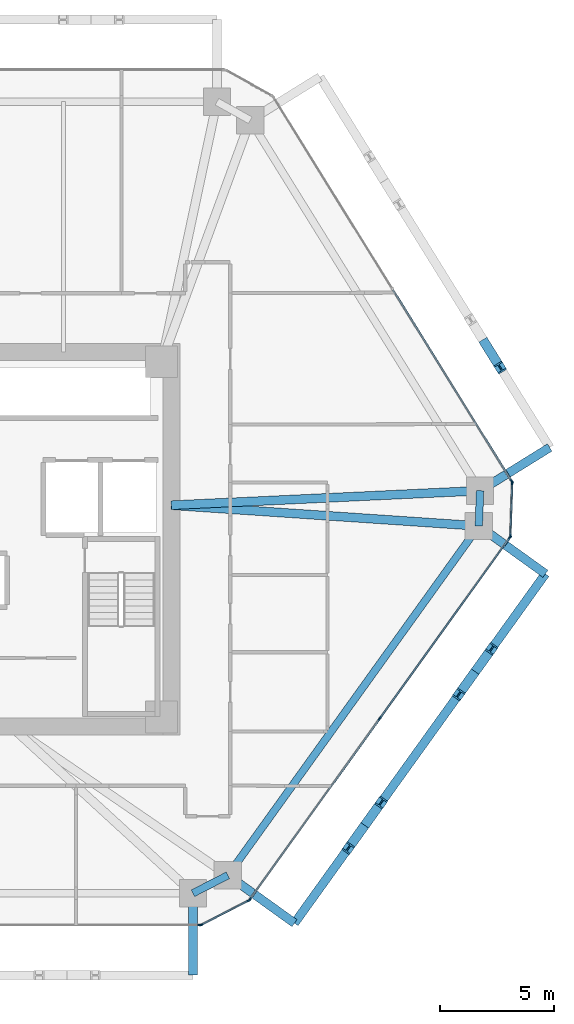
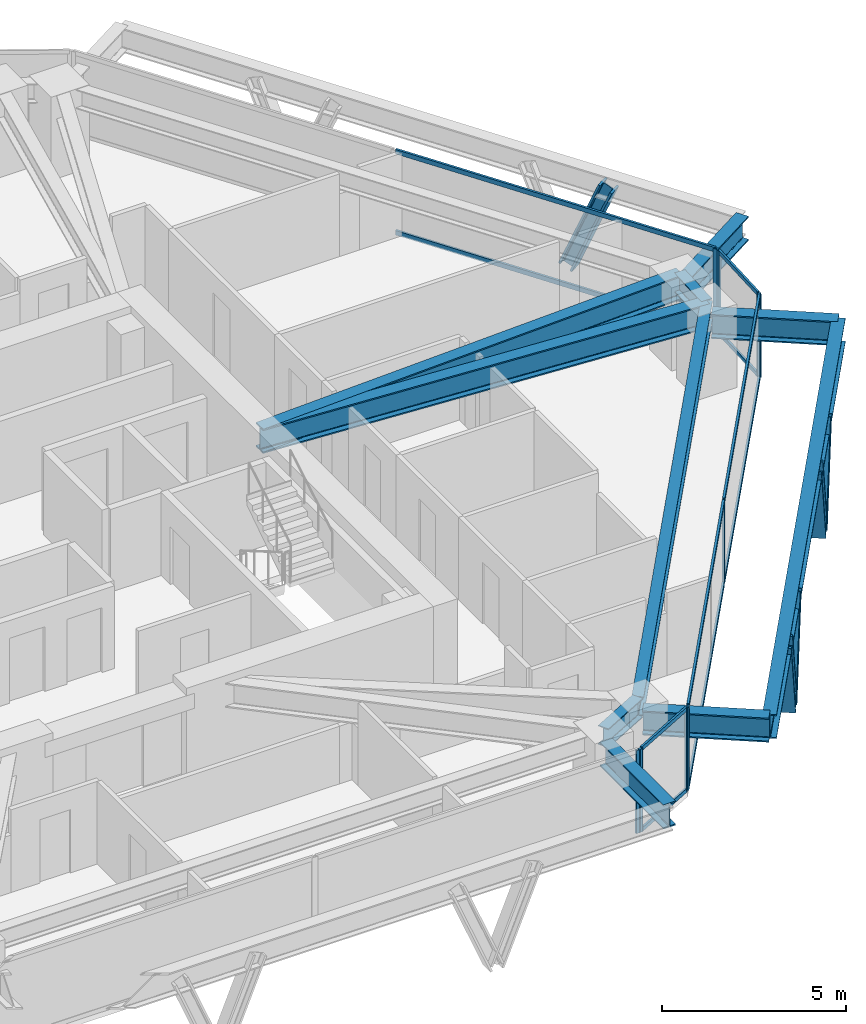
# One storey, part 5 of 14: 24 members, 10 beams, 5 elements without a shape of their own.
"""IFC4 building model written with IfcOpenShell, lengths in metres."""

from ifc_helpers import new_model, si_unit, direction, frame, origin, origin_2d, place, context, subcontext, project, spatial, rectangle, i_section, extrude, source, transform, mapped, material, layer, layer_set, material_profile, profile_set, type_object, type_shapes, element, aggregate, save


model = new_model("IFC4")

# Units and contexts
model_context = context("Model", 3, precision=1e-05, world=origin(), true_north=direction((0.0, 1.0)))
body_context = subcontext(model_context, "Body", "Model", "MODEL_VIEW")
ifc_project = project(units=[si_unit("LENGTHUNIT", "METRE"), si_unit("AREAUNIT", "SQUARE_METRE"), si_unit("VOLUMEUNIT", "CUBIC_METRE"), si_unit("PLANEANGLEUNIT", "RADIAN"), si_unit("MASSUNIT", "GRAM", prefix="KILO")], contexts=[model_context])

# Site, building, storey
site_placement = place(None, origin())
site = spatial("IfcSite", under=ifc_project, at=site_placement, CompositionType="ELEMENT")
building_placement = place(site_placement, origin())
building = spatial("IfcBuilding", under=site, at=building_placement, Name="Durnholm Broadcast Tower", CompositionType="ELEMENT")
storey_placement = place(building_placement, frame((0.0, 0.0, 140.10009765625)))
storey = spatial("IfcBuildingStorey", under=building, at=storey_placement, Name="L38", CompositionType="ELEMENT", Elevation=140.10009765625)

# Beams
ifc_material_1 = material(Name="Steel ASTM A992 Grade 50", Category="steel")
ifc_material_profile_1 = material_profile(ifc_material_1, i_section(OverallWidth=0.385009765625, OverallDepth=0.802978515625, WebThickness=0.023681640625, FlangeThickness=0.0419921875, FilletRadius=0.032958984375, at=origin_2d()), Name="W30X261")
ifc_profile_set_1 = profile_set([ifc_material_profile_1], Name="Steel ASTM A992 Grade 50")
beam_type_1 = type_object("IfcBeamType", Name="BM-EXO-TIE", PredefinedType="USERDEFINED", material=ifc_profile_set_1)
shared_shape_1 = source(origin(), body_context, "Body", "SweptSolid", [
    extrude(i_section(OverallWidth=0.385009765625, OverallDepth=0.802978515625, WebThickness=0.023681640625, FlangeThickness=0.0419921875, FilletRadius=0.032958984375, at=origin_2d()), origin(), (0.0, 0.0, 1.0), 3.4560546875),
])
for number, where, z_axis, x_axis, name in (
    (1, (11.176025390625, -15.680908203125, 2.008544921875), (0.0, -1.0, 0.0), (1.0, 0.0, 0.0), "L38 exoskeleton stand-off tie bracket F1.2"),
    (2, (12.826904296875, -14.834228515625, 2.008544921875), (0.812164951739, -0.583427880005, 0.0), (0.583427880005, 0.812164951739, 0.0), "L38 exoskeleton stand-off tie bracket F2.1"),
    (3, (23.844970703125, 0.5029296875, 2.008544921875), (0.812164951739, -0.583427880005, 0.0), (0.583427880005, 0.812164951739, 0.0), "L38 exoskeleton stand-off tie bracket F2.2"),
    (4, (23.903076171875, 2.21240234375, 2.008544921875), (0.849795112316, 0.527113144481, 0.0), (-0.527113144481, 0.849795112316, 0.0), "L38 exoskeleton stand-off tie bracket F3.1"),
):
    element("IfcBeam", number, at=place(storey_placement, frame(where, z_axis=z_axis, x_axis=x_axis)), inside=storey, type_object=beam_type_1, Name=name, ObjectType="GIRDER", PredefinedType="USERDEFINED", context=body_context, shape_type="MappedRepresentation", body=[
        mapped(shared_shape_1, transform((0.0, 0.0, 0.0), x_axis=(1.0, 0.0, 0.0), y_axis=(0.0, 1.0, 0.0), z_axis=(0.0, 0.0, 1.0), scale=1.0)),
    ])
ifc_material_profile_2 = material_profile(ifc_material_1, i_section(OverallWidth=0.3291015625, OverallDepth=0.635009765625, WebThickness=0.017822265625, FlangeThickness=0.031005859375, FilletRadius=0.02783203125, at=origin_2d()), Name="W24X162")
ifc_profile_set_2 = profile_set([ifc_material_profile_2], Name="Steel ASTM A992 Grade 50")
beam_type_2 = type_object("IfcBeamType", Name="STL-SP-W24X162", PredefinedType="SPANDREL", material=ifc_profile_set_2)
shared_shape_2 = source(origin(), body_context, "Body", "SweptSolid", [
    extrude(i_section(OverallWidth=0.3291015625, OverallDepth=0.635009765625, WebThickness=0.017822265625, FlangeThickness=0.031005859375, FilletRadius=0.02783203125, at=origin_2d()), origin(), (0.0, 0.0, 1.0), 18.884521484375),
])
beam_1_placement = place(storey_placement, frame((23.72802734375, 0.5869140625, 2.427490234375), z_axis=(-0.583443434414, -0.812153777827, 0.0), x_axis=(0.812153777827, -0.583443434414, 0.0)))
element("IfcBeam", 5, at=beam_1_placement, inside=storey, type_object=beam_type_2, Name="L38 perimeter spandrel girder 09", PredefinedType="SPANDREL", context=body_context, shape_type="MappedRepresentation", body=[
    mapped(shared_shape_2, transform((0.0, 0.0, 0.0), x_axis=(1.0, 0.0, 0.0), y_axis=(0.0, 1.0, 0.0), z_axis=(0.0, 0.0, 1.0), scale=1.0)),
])
shared_shape_3 = source(origin(), body_context, "Body", "SweptSolid", [
    extrude(i_section(OverallWidth=0.3291015625, OverallDepth=0.635009765625, WebThickness=0.017822265625, FlangeThickness=0.031005859375, FilletRadius=0.02783203125, at=origin_2d()), origin(), (0.0, 0.0, 1.0), 1.723876953125),
])
beam_2_placement = place(storey_placement, frame((12.7099609375, -14.750244140625, 2.427490234375), z_axis=(-0.889762904339, -0.456423020959, 0.0), x_axis=(0.456423020959, -0.889762904339, 0.0)))
element("IfcBeam", 6, at=beam_2_placement, inside=storey, type_object=beam_type_2, Name="L38 perimeter spandrel girder 10", PredefinedType="SPANDREL", context=body_context, shape_type="MappedRepresentation", body=[
    mapped(shared_shape_3, transform((0.0, 0.0, 0.0), x_axis=(1.0, 0.0, 0.0), y_axis=(0.0, 1.0, 0.0), z_axis=(0.0, 0.0, 1.0), scale=1.0)),
])
shared_shape_4 = source(origin(), body_context, "Body", "SweptSolid", [
    extrude(i_section(OverallWidth=0.3291015625, OverallDepth=0.635009765625, WebThickness=0.017822265625, FlangeThickness=0.031005859375, FilletRadius=0.02783203125, at=origin_2d()), origin(), (0.0, 0.0, 1.0), 1.55078125),
])
type_shapes(beam_type_2, [shared_shape_2, shared_shape_3, shared_shape_4])
beam_3_placement = place(storey_placement, frame((23.78076171875, 2.13671875, 2.427490234375), z_axis=(-0.03400678419, -0.999421602042, 0.0), x_axis=(0.999421602042, -0.03400678419, 0.0)))
element("IfcBeam", 7, at=beam_3_placement, inside=storey, type_object=beam_type_2, Name="L38 perimeter spandrel girder 08", PredefinedType="SPANDREL", context=body_context, shape_type="MappedRepresentation", body=[
    mapped(shared_shape_4, transform((0.0, 0.0, 0.0), x_axis=(1.0, 0.0, 0.0), y_axis=(0.0, 1.0, 0.0), z_axis=(0.0, 0.0, 1.0), scale=1.0)),
])
ifc_material_profile_3 = material_profile(ifc_material_1, i_section(OverallWidth=0.385009765625, OverallDepth=0.802978515625, WebThickness=0.023681640625, FlangeThickness=0.0419921875, FilletRadius=0.032958984375, at=origin_2d()), Name="W30X261")
ifc_profile_set_3 = profile_set([ifc_material_profile_3], Name="Steel ASTM A992 Grade 50")
beam_type_3 = type_object("IfcBeamType", Name="STL-GR-W30X261", PredefinedType="USERDEFINED", material=ifc_profile_set_3)
shared_shape_5 = source(origin(), body_context, "Body", "SweptSolid", [
    extrude(i_section(OverallWidth=0.385009765625, OverallDepth=0.802978515625, WebThickness=0.023681640625, FlangeThickness=0.0419921875, FilletRadius=0.032958984375, at=origin_2d()), origin(), (0.0, 0.0, 1.0), 13.570556640625),
])
beam_4_placement = place(storey_placement, frame((10.22509765625, 1.5, 2.343505859375), z_axis=(0.99889869961, 0.046918950518, 0.0), x_axis=(-0.046918950518, 0.99889869961, 0.0)))
element("IfcBeam", 8, at=beam_4_placement, inside=storey, type_object=beam_type_3, Name="L38 radial primary floor girder 08", ObjectType="GIRDER", PredefinedType="USERDEFINED", context=body_context, shape_type="MappedRepresentation", body=[
    mapped(shared_shape_5, transform((0.0, 0.0, 0.0), x_axis=(1.0, 0.0, 0.0), y_axis=(0.0, 1.0, 0.0), z_axis=(0.0, 0.0, 1.0), scale=1.0)),
])
shared_shape_6 = source(origin(), body_context, "Body", "SweptSolid", [
    extrude(i_section(OverallWidth=0.385009765625, OverallDepth=0.802978515625, WebThickness=0.023681640625, FlangeThickness=0.0419921875, FilletRadius=0.032958984375, at=origin_2d()), origin(), (0.0, 0.0, 1.0), 13.53369140625),
])
type_shapes(beam_type_3, [shared_shape_5, shared_shape_6])
beam_5_placement = place(storey_placement, frame((10.22509765625, 1.5, 2.343505859375), z_axis=(0.99772148964, -0.067467244725, 0.0), x_axis=(0.067467244725, 0.99772148964, 0.0)))
element("IfcBeam", 9, at=beam_5_placement, inside=storey, type_object=beam_type_3, Name="L38 radial primary floor girder 09", ObjectType="GIRDER", PredefinedType="USERDEFINED", context=body_context, shape_type="MappedRepresentation", body=[
    mapped(shared_shape_6, transform((0.0, 0.0, 0.0), x_axis=(1.0, 0.0, 0.0), y_axis=(0.0, 1.0, 0.0), z_axis=(0.0, 0.0, 1.0), scale=1.0)),
])
shared_shape_7 = source(origin(), body_context, "Body", "SweptSolid", [
    extrude(i_section(OverallWidth=0.385009765625, OverallDepth=0.802978515625, WebThickness=0.023681640625, FlangeThickness=0.0419921875, FilletRadius=0.032958984375, at=origin_2d()), origin(), (0.0, 0.0, 1.0), 18.884521484375),
])
type_shapes(beam_type_1, [shared_shape_1, shared_shape_7])
beam_6_placement = place(storey_placement, frame((15.6337890625, -16.8505859375, 2.008544921875), z_axis=(0.583443434414, 0.812153777827, 0.0), x_axis=(-0.812153777827, 0.583443434414, 0.0)))
element("IfcBeam", 10, at=beam_6_placement, inside=storey, type_object=beam_type_1, Name="L38 exoskeleton collector spandrel F2", PredefinedType="SPANDREL", context=body_context, shape_type="MappedRepresentation", body=[
    mapped(shared_shape_7, transform((0.0, 0.0, 0.0), x_axis=(1.0, 0.0, 0.0), y_axis=(0.0, 1.0, 0.0), z_axis=(0.0, 0.0, 1.0), scale=1.0)),
])

# Members
ifc_material_2 = material(Name="Steel ASTM A913 Grade 65", Category="steel")
ifc_material_profile_4 = material_profile(ifc_material_2, i_section(OverallWidth=0.41845703125, OverallDepth=0.455078125, WebThickness=0.0419921875, FlangeThickness=0.067626953125, FilletRadius=0.030517578125, at=origin_2d()), Name="W14X370")
ifc_profile_set_4 = profile_set([ifc_material_profile_4], Name="Steel ASTM A913 Grade 65")
member_type_1 = type_object("IfcMemberType", Name="STL-DG-W14X370", PredefinedType="BRACE", material=ifc_profile_set_4)
shared_shape_8 = source(origin(), body_context, "Body", "SweptSolid", [
    extrude(i_section(OverallWidth=0.41845703125, OverallDepth=0.455078125, WebThickness=0.0419921875, FlangeThickness=0.067626953125, FilletRadius=0.030517578125, at=origin_2d()), origin(), (0.0, 0.0, 1.0), 3.243896484375),
])
for number, where, z_axis, x_axis, name in (
    (11, (18.71875, -12.556396484375, -0.991455078125), (0.221947394098, 0.308950170489, 0.924818439699), (-0.812153063014, 0.583444429434, 0.0), "L38 stand-off diagrid brace F2.D1.2"),
    (12, (23.56689453125, -5.807861328125, -0.991455078125), (-0.221947394098, -0.308950170489, 0.924818439699), (0.812153063014, -0.583444429434, 0.0), "L38 stand-off diagrid brace F2.D2.1"),
    (13, (24.01513671875, 8.58837890625, -0.991455078125), (0.200499851569, -0.323253326761, 0.924828144175), (0.849805205368, 0.527096872433, 0.0), "L38 stand-off diagrid brace F3.D1.1"),
):
    element("IfcMember", number, at=place(storey_placement, frame(where, z_axis=z_axis, x_axis=x_axis)), inside=storey, type_object=member_type_1, Name=name, PredefinedType="BRACE", context=body_context, shape_type="MappedRepresentation", body=[
        mapped(shared_shape_8, transform((0.0, 0.0, 0.0), x_axis=(1.0, 0.0, 0.0), y_axis=(0.0, 1.0, 0.0), z_axis=(0.0, 0.0, 1.0), scale=1.0)),
    ])
shared_shape_9 = source(origin(), body_context, "Body", "SweptSolid", [
    extrude(i_section(OverallWidth=0.41845703125, OverallDepth=0.455078125, WebThickness=0.0419921875, FlangeThickness=0.067626953125, FilletRadius=0.030517578125, at=origin_2d()), origin(), (0.0, 0.0, 1.0), 3.24365234375),
])
type_shapes(member_type_1, [shared_shape_8, shared_shape_9])
for number, where, z_axis, x_axis, name in (
    (14, (18.71875, -12.556396484375, -0.991455078125), (-0.22188099666, -0.308887249081, 0.924855389062), (0.812179469647, -0.583407669717, 0.0), "L38 stand-off diagrid brace F2.D1.1"),
    (15, (23.56689453125, -5.807861328125, -0.991455078125), (0.22188099666, 0.308887249081, 0.924855389062), (-0.812179469647, 0.583407669717, 0.0), "L38 stand-off diagrid brace F2.D2.2"),
):
    element("IfcMember", number, at=place(storey_placement, frame(where, z_axis=z_axis, x_axis=x_axis)), inside=storey, type_object=member_type_1, Name=name, PredefinedType="BRACE", context=body_context, shape_type="MappedRepresentation", body=[
        mapped(shared_shape_9, transform((0.0, 0.0, 0.0), x_axis=(1.0, 0.0, 0.0), y_axis=(0.0, 1.0, 0.0), z_axis=(0.0, 0.0, 1.0), scale=1.0)),
    ])

# Curtain wall, members
ifc_material_3 = material(Name="Aluminium and Solar Control IGU", Category="aluminium")
ifc_layer_1 = layer(ifc_material_3, 0.1650390625)
ifc_layer_set_1 = layer_set([ifc_layer_1], Name="Aluminium and Solar Control IGU")
curtain_wall_type_1 = type_object("IfcCurtainWallType", Name="CW-SYS-5", PredefinedType="NOTDEFINED", material=ifc_layer_set_1)
curtain_wall_1_placement = place(storey_placement, origin())
curtain_wall_1 = element("IfcCurtainWall", 16, at=curtain_wall_1_placement, inside=storey, type_object=curtain_wall_type_1, Name="L38 curtain wall CW-CORNER CW-L38-CRN-07", PredefinedType="NOTDEFINED")
ifc_material_4 = material(Name="Aluminium 6063-T6", Category="aluminium")
ifc_material_profile_5 = material_profile(ifc_material_4, rectangle(XDim=0.06494140625, YDim=0.1650390625, at=origin_2d()), Name="CWM65X165")
ifc_profile_set_5 = profile_set([ifc_material_profile_5], Name="Aluminium 6063-T6")
member_type_2 = type_object("IfcMemberType", Name="CW-SYS-5-MUL", PredefinedType="MULLION", material=ifc_profile_set_5)
shared_shape_10 = source(origin(), body_context, "Body", "SweptSolid", [
    extrude(rectangle(XDim=0.06494140625, YDim=0.1650390625, at=origin_2d()), origin(), (0.0, 0.0, 1.0), 2.760009765625),
])
type_shapes(member_type_2, [shared_shape_10])
member_1_placement = place(storey_placement, frame((25.193115234375, 2.481201171875, 0.0), z_axis=(0.0, 0.0, 1.0), x_axis=(0.999424655155, -0.033916937775, 0.0)))
member_1 = element("IfcMember", 17, at=member_1_placement, type_object=member_type_2, Name="CW-CORNER mullion 1", PredefinedType="MULLION", context=body_context, shape_type="MappedRepresentation", body=[
    mapped(shared_shape_10, transform((0.0, 0.0, 0.0), x_axis=(1.0, 0.0, 0.0), y_axis=(0.0, 1.0, 0.0), z_axis=(0.0, 0.0, 1.0), scale=1.0)),
])
member_2_placement = place(storey_placement, frame((25.114013671875, 0.1474609375, 0.0), z_axis=(0.0, 0.0, 1.0), x_axis=(0.999424655155, -0.033916937775, 0.0)))
member_2 = element("IfcMember", 18, at=member_2_placement, type_object=member_type_2, Name="CW-CORNER mullion 2", PredefinedType="MULLION", context=body_context, shape_type="MappedRepresentation", body=[
    mapped(shared_shape_10, transform((0.0, 0.0, 0.0), x_axis=(1.0, 0.0, 0.0), y_axis=(0.0, 1.0, 0.0), z_axis=(0.0, 0.0, 1.0), scale=1.0)),
])

curtain_wall_2_placement = place(storey_placement, origin())
curtain_wall_2 = element("IfcCurtainWall", 19, at=curtain_wall_2_placement, inside=storey, type_object=curtain_wall_type_1, Name="L38 curtain wall CW-CORNER CW-L38-CRN-09", PredefinedType="NOTDEFINED")
member_3_placement = place(storey_placement, frame((13.620849609375, -15.8564453125, 0.0), z_axis=(0.0, 0.0, 1.0), x_axis=(0.45637332267, -0.889788396392, 0.0)))
member_3 = element("IfcMember", 20, at=member_3_placement, type_object=member_type_2, Name="CW-CORNER mullion 1", PredefinedType="MULLION", context=body_context, shape_type="MappedRepresentation", body=[
    mapped(shared_shape_10, transform((0.0, 0.0, 0.0), x_axis=(1.0, 0.0, 0.0), y_axis=(0.0, 1.0, 0.0), z_axis=(0.0, 0.0, 1.0), scale=1.0)),
])
member_4_placement = place(storey_placement, frame((11.543212890625, -16.922119140625, 0.0), z_axis=(0.0, 0.0, 1.0), x_axis=(0.45637332267, -0.889788396392, 0.0)))
member_4 = element("IfcMember", 21, at=member_4_placement, type_object=member_type_2, Name="CW-CORNER mullion 2", PredefinedType="MULLION", context=body_context, shape_type="MappedRepresentation", body=[
    mapped(shared_shape_10, transform((0.0, 0.0, 0.0), x_axis=(1.0, 0.0, 0.0), y_axis=(0.0, 1.0, 0.0), z_axis=(0.0, 0.0, 1.0), scale=1.0)),
])

# Curtain wall, member
ifc_layer_2 = layer(ifc_material_3, 0.18994140625)
ifc_layer_set_2 = layer_set([ifc_layer_2], Name="Aluminium and Solar Control IGU")
curtain_wall_type_2 = type_object("IfcCurtainWallType", Name="CW-SYS-3", PredefinedType="NOTDEFINED", material=ifc_layer_set_2)
curtain_wall_3_placement = place(storey_placement, origin())
curtain_wall_3 = element("IfcCurtainWall", 22, at=curtain_wall_3_placement, inside=storey, type_object=curtain_wall_type_2, Name="L38 curtain wall CW-Z12-VIS CW-L38-F06", PredefinedType="NOTDEFINED")
ifc_material_profile_6 = material_profile(ifc_material_4, rectangle(XDim=0.070068359375, YDim=0.18994140625, at=origin_2d()), Name="CWM70X190")
ifc_profile_set_6 = profile_set([ifc_material_profile_6], Name="Aluminium 6063-T6")
member_type_3 = type_object("IfcMemberType", Name="CW-SYS-3-MUL", PredefinedType="MULLION", material=ifc_profile_set_6)
shared_shape_11 = source(origin(), body_context, "Body", "SweptSolid", [
    extrude(rectangle(XDim=0.070068359375, YDim=0.18994140625, at=origin_2d()), origin(), (0.0, 0.0, 1.0), 2.760009765625),
])
type_shapes(member_type_3, [shared_shape_11])
member_5_placement = place(storey_placement, frame((25.17578125, 2.54345703125, 0.0), z_axis=(0.0, 0.0, 1.0), x_axis=(0.849799925229, 0.527105385176, 0.0)))
member_5 = element("IfcMember", 23, at=member_5_placement, type_object=member_type_3, Name="CW-Z12-VIS mullion 3", PredefinedType="MULLION", context=body_context, shape_type="MappedRepresentation", body=[
    mapped(shared_shape_11, transform((0.0, 0.0, 0.0), x_axis=(1.0, 0.0, 0.0), y_axis=(0.0, 1.0, 0.0), z_axis=(0.0, 0.0, 1.0), scale=1.0)),
])

# Curtain wall, members
curtain_wall_4_placement = place(storey_placement, origin())
curtain_wall_4 = element("IfcCurtainWall", 24, at=curtain_wall_4_placement, inside=storey, type_object=curtain_wall_type_2, Name="L38 curtain wall CW-Z12-VIS CW-L38-F08", PredefinedType="NOTDEFINED")
member_6_placement = place(storey_placement, frame((25.092529296875, 0.086669921875, 0.0), z_axis=(0.0, 0.0, 1.0), x_axis=(0.812152312759, -0.583445473786, 0.0)))
member_6 = element("IfcMember", 25, at=member_6_placement, type_object=member_type_3, Name="CW-Z12-VIS mullion 1", PredefinedType="MULLION", context=body_context, shape_type="MappedRepresentation", body=[
    mapped(shared_shape_11, transform((0.0, 0.0, 0.0), x_axis=(1.0, 0.0, 0.0), y_axis=(0.0, 1.0, 0.0), z_axis=(0.0, 0.0, 1.0), scale=1.0)),
])
member_7_placement = place(storey_placement, frame((19.38134765625, -7.86328125, 0.0), z_axis=(0.0, 0.0, 1.0), x_axis=(0.812152312759, -0.583445473786, 0.0)))
member_7 = element("IfcMember", 26, at=member_7_placement, type_object=member_type_3, Name="CW-Z12-VIS mullion 2", PredefinedType="MULLION", context=body_context, shape_type="MappedRepresentation", body=[
    mapped(shared_shape_11, transform((0.0, 0.0, 0.0), x_axis=(1.0, 0.0, 0.0), y_axis=(0.0, 1.0, 0.0), z_axis=(0.0, 0.0, 1.0), scale=1.0)),
])
member_8_placement = place(storey_placement, frame((13.670166015625, -15.813232421875, 0.0), z_axis=(0.0, 0.0, 1.0), x_axis=(0.812152312759, -0.583445473786, 0.0)))
member_8 = element("IfcMember", 27, at=member_8_placement, type_object=member_type_3, Name="CW-Z12-VIS mullion 3", PredefinedType="MULLION", context=body_context, shape_type="MappedRepresentation", body=[
    mapped(shared_shape_11, transform((0.0, 0.0, 0.0), x_axis=(1.0, 0.0, 0.0), y_axis=(0.0, 1.0, 0.0), z_axis=(0.0, 0.0, 1.0), scale=1.0)),
])

# Curtain wall, member
curtain_wall_5_placement = place(storey_placement, origin())
curtain_wall_5 = element("IfcCurtainWall", 28, at=curtain_wall_5_placement, inside=storey, type_object=curtain_wall_type_2, Name="L38 curtain wall CW-Z12-VIS CW-L38-F10", PredefinedType="NOTDEFINED")
member_9_placement = place(storey_placement, frame((11.479248046875, -16.93701171875, 0.0), z_axis=(0.0, 0.0, 1.0), x_axis=(0.0, -1.0, 0.0)))
member_9 = element("IfcMember", 29, at=member_9_placement, type_object=member_type_3, Name="CW-Z12-VIS mullion 1", PredefinedType="MULLION", context=body_context, shape_type="MappedRepresentation", body=[
    mapped(shared_shape_11, transform((0.0, 0.0, 0.0), x_axis=(1.0, 0.0, 0.0), y_axis=(0.0, 1.0, 0.0), z_axis=(0.0, 0.0, 1.0), scale=1.0)),
])
aggregate(curtain_wall_5, [member_9])

# Member
ifc_material_profile_7 = material_profile(ifc_material_4, rectangle(XDim=0.06494140625, YDim=0.1298828125, at=origin_2d()), Name="CWT65X130")
ifc_profile_set_7 = profile_set([ifc_material_profile_7], Name="Aluminium 6063-T6")
member_type_4 = type_object("IfcMemberType", Name="CW-SYS-5-TRN", PredefinedType="USERDEFINED", material=ifc_profile_set_7)
shared_shape_12 = source(origin(), body_context, "Body", "SweptSolid", [
    extrude(rectangle(XDim=0.06494140625, YDim=0.1298828125, at=origin_2d()), origin(), (0.0, 0.0, 1.0), 2.27001953125),
])
type_shapes(member_type_4, [shared_shape_12])
member_10_placement = place(storey_placement, frame((25.192138671875, 2.44873046875, 0.032470703125), z_axis=(-0.03398444704, -0.999422361847, 0.0), x_axis=(0.999422361847, -0.03398444704, 0.0)))
member_10 = element("IfcMember", 30, at=member_10_placement, type_object=member_type_4, Name="CW-CORNER transom 1.1", ObjectType="TRANSOM", PredefinedType="USERDEFINED", context=body_context, shape_type="MappedRepresentation", body=[
    mapped(shared_shape_12, transform((0.0, 0.0, 0.0), x_axis=(1.0, 0.0, 0.0), y_axis=(0.0, 1.0, 0.0), z_axis=(0.0, 0.0, 1.0), scale=1.0)),
])

member_11_placement = place(storey_placement, frame((25.192138671875, 2.44873046875, 2.727294921875), z_axis=(-0.03398444704, -0.999422361847, 0.0), x_axis=(0.999422361847, -0.03398444704, 0.0)))
member_11 = element("IfcMember", 31, at=member_11_placement, type_object=member_type_4, Name="CW-CORNER transom 1.2", ObjectType="TRANSOM", PredefinedType="USERDEFINED", context=body_context, shape_type="MappedRepresentation", body=[
    mapped(shared_shape_12, transform((0.0, 0.0, 0.0), x_axis=(1.0, 0.0, 0.0), y_axis=(0.0, 1.0, 0.0), z_axis=(0.0, 0.0, 1.0), scale=1.0)),
])

aggregate(curtain_wall_1, [member_1, member_2, member_10, member_11])

member_12_placement = place(storey_placement, frame((13.591796875, -15.871337890625, 0.032470703125), z_axis=(-0.889798425843, -0.456353767781, 0.0), x_axis=(0.456353767781, -0.889798425843, 0.0)))
member_12 = element("IfcMember", 32, at=member_12_placement, type_object=member_type_4, Name="CW-CORNER transom 1.1", ObjectType="TRANSOM", PredefinedType="USERDEFINED", context=body_context, shape_type="MappedRepresentation", body=[
    mapped(shared_shape_12, transform((0.0, 0.0, 0.0), x_axis=(1.0, 0.0, 0.0), y_axis=(0.0, 1.0, 0.0), z_axis=(0.0, 0.0, 1.0), scale=1.0)),
])

member_13_placement = place(storey_placement, frame((13.591796875, -15.871337890625, 2.727294921875), z_axis=(-0.889798425843, -0.456353767781, 0.0), x_axis=(0.456353767781, -0.889798425843, 0.0)))
member_13 = element("IfcMember", 33, at=member_13_placement, type_object=member_type_4, Name="CW-CORNER transom 1.2", ObjectType="TRANSOM", PredefinedType="USERDEFINED", context=body_context, shape_type="MappedRepresentation", body=[
    mapped(shared_shape_12, transform((0.0, 0.0, 0.0), x_axis=(1.0, 0.0, 0.0), y_axis=(0.0, 1.0, 0.0), z_axis=(0.0, 0.0, 1.0), scale=1.0)),
])

aggregate(curtain_wall_2, [member_3, member_4, member_12, member_13])

ifc_material_profile_8 = material_profile(ifc_material_4, rectangle(XDim=0.070068359375, YDim=0.14990234375, at=origin_2d()), Name="CWT70X150")
ifc_profile_set_8 = profile_set([ifc_material_profile_8], Name="Aluminium 6063-T6")
member_type_5 = type_object("IfcMemberType", Name="CW-SYS-3-TRN", PredefinedType="USERDEFINED", material=ifc_profile_set_8)
shared_shape_13 = source(origin(), body_context, "Body", "SweptSolid", [
    extrude(rectangle(XDim=0.070068359375, YDim=0.14990234375, at=origin_2d()), origin(), (0.0, 0.0, 1.0), 9.71875),
])
member_14_placement = place(storey_placement, frame((25.072021484375, 0.05810546875, 0.034912109375), z_axis=(-0.583450726174, -0.812148539448, 0.0), x_axis=(0.812148539448, -0.583450726174, 0.0)))
member_14 = element("IfcMember", 34, at=member_14_placement, type_object=member_type_5, Name="CW-Z12-VIS transom 1.1", ObjectType="TRANSOM", PredefinedType="USERDEFINED", context=body_context, shape_type="MappedRepresentation", body=[
    mapped(shared_shape_13, transform((0.0, 0.0, 0.0), x_axis=(1.0, 0.0, 0.0), y_axis=(0.0, 1.0, 0.0), z_axis=(0.0, 0.0, 1.0), scale=1.0)),
])

member_15_placement = place(storey_placement, frame((25.072021484375, 0.05810546875, 2.724853515625), z_axis=(-0.583450726174, -0.812148539448, 0.0), x_axis=(0.812148539448, -0.583450726174, 0.0)))
member_15 = element("IfcMember", 35, at=member_15_placement, type_object=member_type_5, Name="CW-Z12-VIS transom 1.2", ObjectType="TRANSOM", PredefinedType="USERDEFINED", context=body_context, shape_type="MappedRepresentation", body=[
    mapped(shared_shape_13, transform((0.0, 0.0, 0.0), x_axis=(1.0, 0.0, 0.0), y_axis=(0.0, 1.0, 0.0), z_axis=(0.0, 0.0, 1.0), scale=1.0)),
])

member_16_placement = place(storey_placement, frame((19.36083984375, -7.891845703125, 0.034912109375), z_axis=(-0.583450726174, -0.812148539448, 0.0), x_axis=(0.812148539448, -0.583450726174, 0.0)))
member_16 = element("IfcMember", 36, at=member_16_placement, type_object=member_type_5, Name="CW-Z12-VIS transom 2.1", ObjectType="TRANSOM", PredefinedType="USERDEFINED", context=body_context, shape_type="MappedRepresentation", body=[
    mapped(shared_shape_13, transform((0.0, 0.0, 0.0), x_axis=(1.0, 0.0, 0.0), y_axis=(0.0, 1.0, 0.0), z_axis=(0.0, 0.0, 1.0), scale=1.0)),
])

member_17_placement = place(storey_placement, frame((19.36083984375, -7.891845703125, 2.724853515625), z_axis=(-0.583450726174, -0.812148539448, 0.0), x_axis=(0.812148539448, -0.583450726174, 0.0)))
member_17 = element("IfcMember", 37, at=member_17_placement, type_object=member_type_5, Name="CW-Z12-VIS transom 2.2", ObjectType="TRANSOM", PredefinedType="USERDEFINED", context=body_context, shape_type="MappedRepresentation", body=[
    mapped(shared_shape_13, transform((0.0, 0.0, 0.0), x_axis=(1.0, 0.0, 0.0), y_axis=(0.0, 1.0, 0.0), z_axis=(0.0, 0.0, 1.0), scale=1.0)),
])

aggregate(curtain_wall_4, [member_6, member_7, member_8, member_14, member_15, member_16, member_17])

shared_shape_14 = source(origin(), body_context, "Body", "SweptSolid", [
    extrude(rectangle(XDim=0.070068359375, YDim=0.14990234375, at=origin_2d()), origin(), (0.0, 0.0, 1.0), 9.859130859375),
])
type_shapes(member_type_5, [shared_shape_13, shared_shape_14])
member_18_placement = place(storey_placement, frame((19.960693359375, 10.951171875, 0.034912109375), z_axis=(0.527108872232, -0.849797762303, 0.0), x_axis=(0.849797762303, 0.527108872232, 0.0)))
member_18 = element("IfcMember", 38, at=member_18_placement, type_object=member_type_5, Name="CW-Z12-VIS transom 2.1", ObjectType="TRANSOM", PredefinedType="USERDEFINED", context=body_context, shape_type="MappedRepresentation", body=[
    mapped(shared_shape_14, transform((0.0, 0.0, 0.0), x_axis=(1.0, 0.0, 0.0), y_axis=(0.0, 1.0, 0.0), z_axis=(0.0, 0.0, 1.0), scale=1.0)),
])

member_19_placement = place(storey_placement, frame((19.960693359375, 10.951171875, 2.724853515625), z_axis=(0.527108872232, -0.849797762303, 0.0), x_axis=(0.849797762303, 0.527108872232, 0.0)))
member_19 = element("IfcMember", 39, at=member_19_placement, type_object=member_type_5, Name="CW-Z12-VIS transom 2.2", ObjectType="TRANSOM", PredefinedType="USERDEFINED", context=body_context, shape_type="MappedRepresentation", body=[
    mapped(shared_shape_14, transform((0.0, 0.0, 0.0), x_axis=(1.0, 0.0, 0.0), y_axis=(0.0, 1.0, 0.0), z_axis=(0.0, 0.0, 1.0), scale=1.0)),
])

aggregate(curtain_wall_3, [member_5, member_18, member_19])

save(model, "model.ifc")
